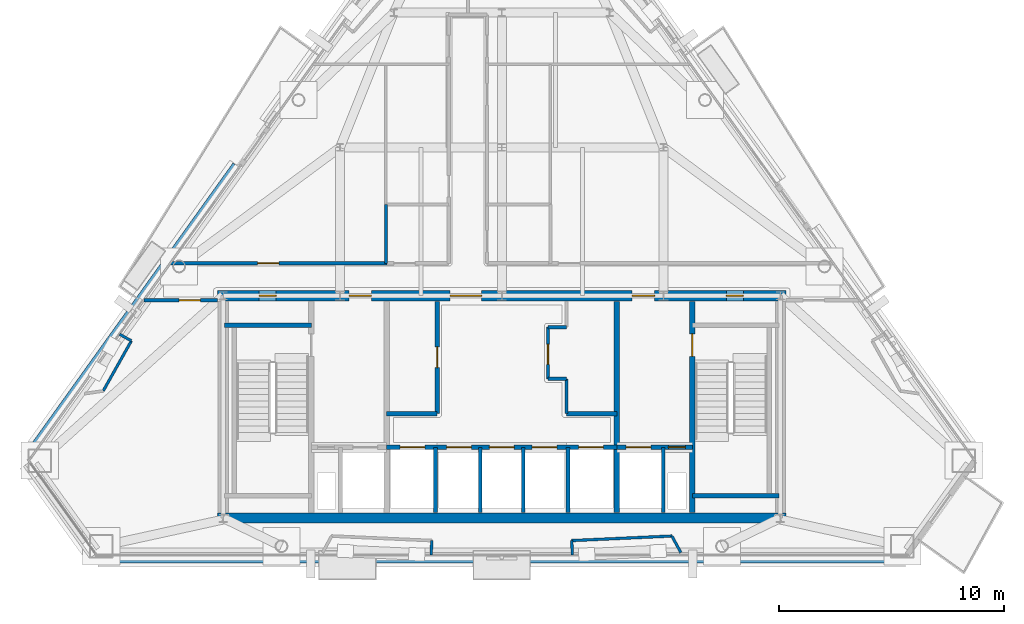
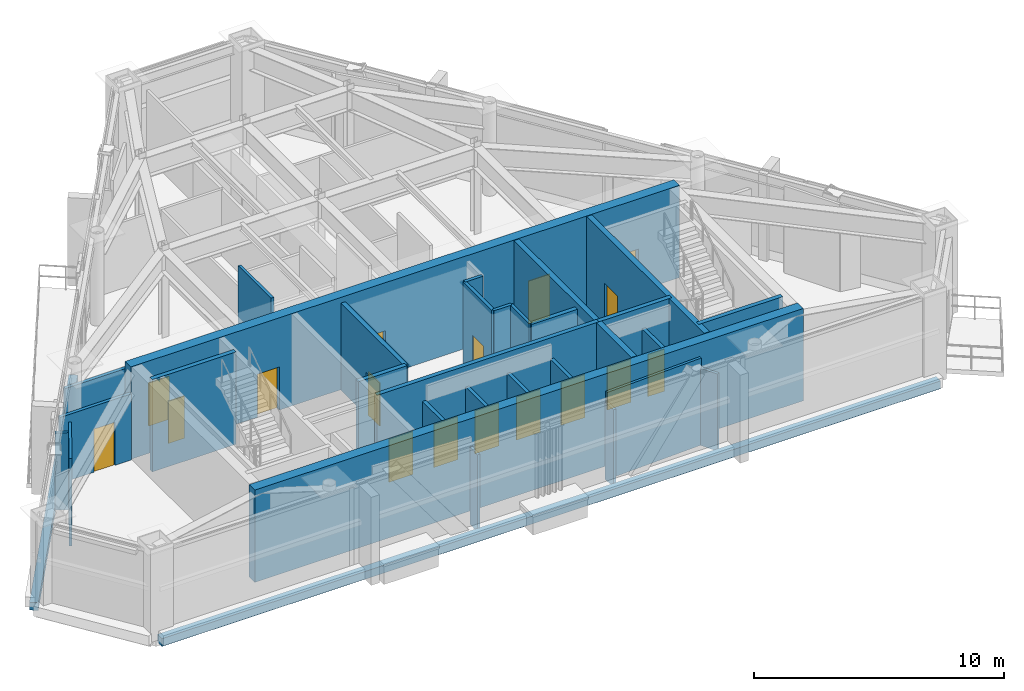
# One storey, part 7 of 11: 31 walls, 17 doors, 17 openings.
"""IFC4 building model written with IfcOpenShell, lengths in metres."""

from ifc_helpers import new_model, si_unit, direction, frame, frame_2d, origin, place, context, subcontext, project, spatial, rectangle, extrude, material, layer, layer_set, type_object, element, fill, save


model = new_model("IFC4")

# Units and contexts
model_context = context("Model", 3, precision=1e-05, world=origin(), true_north=direction((0.0, 1.0)))
body_context = subcontext(model_context, "Body", "Model", "MODEL_VIEW")
ifc_project = project(units=[si_unit("LENGTHUNIT", "METRE"), si_unit("AREAUNIT", "SQUARE_METRE"), si_unit("VOLUMEUNIT", "CUBIC_METRE"), si_unit("PLANEANGLEUNIT", "RADIAN"), si_unit("MASSUNIT", "GRAM", prefix="KILO")], contexts=[model_context])

# Site, building, storey
site_placement = place(None, origin())
site = spatial("IfcSite", under=ifc_project, at=site_placement, CompositionType="ELEMENT")
building_placement = place(site_placement, origin())
building = spatial("IfcBuilding", under=site, at=building_placement, Name="Talgorran Terracotta Tower", CompositionType="ELEMENT")
storey_placement = place(building_placement, frame((0.0, 0.0, 228.89990234375)))
storey = spatial("IfcBuildingStorey", under=building, at=storey_placement, Name="L60", CompositionType="ELEMENT", Elevation=228.89990234375)

# Walls
ifc_material_1 = material(Name="Concrete C50/60", Category="concrete")
ifc_layer_1 = layer(ifc_material_1, 0.199951171875, Name="WT_CORE_200")
ifc_layer_set_1 = layer_set([ifc_layer_1], Name="Concrete C50/60")
wall_type_1 = type_object("IfcWallType", Name="WT_CORE_200", PredefinedType="SOLIDWALL", material=ifc_layer_set_1)
for number, where, z_axis, x_axis, name in (
    (1, (-12.35009765625, -5.52001953125, 0.0), (0.0, 0.0, 1.0), (1.0, 0.0, 0.0), "WL-L60-CW-ST1-N"),
    (2, (8.47998046875, -13.10009765625, 0.0), (0.0, 0.0, 1.0), (1.0, 0.0, 0.0), "WL-L60-CW-ST2-S"),
):
    element("IfcWall", number, at=place(storey_placement, frame(where, z_axis=z_axis, x_axis=x_axis)), inside=storey, type_object=wall_type_1, Name=name, PredefinedType="SOLIDWALL", context=body_context, shape_type="SweptSolid", body=[
        extrude(rectangle(XDim=3.8701171875, YDim=0.199951171875, at=frame_2d((1.93505859375, 0.0))), origin(), (0.0, 0.0, 1.0), 4.5),
    ])

# Wall, openings, doors
wall_1_placement = place(storey_placement, frame((-5.1201171875, -10.949951171875, 0.0), z_axis=(0.0, 0.0, 1.0), x_axis=(1.0, 0.0, 0.0)))
wall_1 = element("IfcWall", 3, at=wall_1_placement, inside=storey, type_object=wall_type_1, Name="WL-L60-CW-H-SBC", PredefinedType="SOLIDWALL", context=body_context, shape_type="SweptSolid", body=[
    extrude(rectangle(XDim=10.240234375, YDim=0.199951171875, at=frame_2d((5.1201171875, 0.0))), origin(), (0.0, 0.0, 1.0), 4.5),
])
opening_1_placement = place(wall_1_placement, frame((0.60009765625, 0.0, 0.0)))
opening_1 = element("IfcOpeningElement", 4, at=opening_1_placement, cuts=wall_1, Name="Opening LD-OB1", PredefinedType="OPENING", context=body_context, shape_type="SweptSolid", body=[
    extrude(rectangle(XDim=1.10609765625, YDim=2.10409765625, at=frame_2d((0.550048828125, 1.052001953125))), frame((0.0, 0.10986328125, 0.0), z_axis=(0.0, -1.0, 0.0), x_axis=(1.0, 0.0, 0.0)), (0.0, 0.0, 1.0), 0.219970703125),
])
opening_2_placement = place(wall_1_placement, frame((2.669921875, 0.0, 0.0)))
opening_2 = element("IfcOpeningElement", 5, at=opening_2_placement, cuts=wall_1, Name="Opening LD-PLH1", PredefinedType="OPENING", context=body_context, shape_type="SweptSolid", body=[
    extrude(rectangle(XDim=1.10609765625, YDim=2.10409765625, at=frame_2d((0.550048828125, 1.052001953125))), frame((0.0, 0.10986328125, 0.0), z_axis=(0.0, -1.0, 0.0), x_axis=(1.0, 0.0, 0.0)), (0.0, 0.0, 1.0), 0.219970703125),
])
opening_3_placement = place(wall_1_placement, frame((4.570068359375, 0.0, 0.0)))
opening_3 = element("IfcOpeningElement", 6, at=opening_3_placement, cuts=wall_1, Name="Opening LD-PLH2", PredefinedType="OPENING", context=body_context, shape_type="SweptSolid", body=[
    extrude(rectangle(XDim=1.10609765625, YDim=2.10409765625, at=frame_2d((0.550048828125, 1.052001953125))), frame((0.0, 0.10986328125, 0.0), z_axis=(0.0, -1.0, 0.0), x_axis=(1.0, 0.0, 0.0)), (0.0, 0.0, 1.0), 0.219970703125),
])
opening_4_placement = place(wall_1_placement, frame((6.469970703125, 0.0, 0.0)))
opening_4 = element("IfcOpeningElement", 7, at=opening_4_placement, cuts=wall_1, Name="Opening LD-PLH3", PredefinedType="OPENING", context=body_context, shape_type="SweptSolid", body=[
    extrude(rectangle(XDim=1.10609765625, YDim=2.10409765625, at=frame_2d((0.550048828125, 1.052001953125))), frame((0.0, 0.10986328125, 0.0), z_axis=(0.0, -1.0, 0.0), x_axis=(1.0, 0.0, 0.0)), (0.0, 0.0, 1.0), 0.219970703125),
])
opening_5_placement = place(wall_1_placement, frame((8.5400390625, 0.0, 0.0)))
opening_5 = element("IfcOpeningElement", 8, at=opening_5_placement, cuts=wall_1, Name="Opening LD-SVL1", PredefinedType="OPENING", context=body_context, shape_type="SweptSolid", body=[
    extrude(rectangle(XDim=1.10609765625, YDim=2.10409765625, at=frame_2d((0.550048828125, 1.052001953125))), frame((0.0, 0.10986328125, 0.0), z_axis=(0.0, -1.0, 0.0), x_axis=(1.0, 0.0, 0.0)), (0.0, 0.0, 1.0), 0.219970703125),
])
ifc_material_2 = material(Name="Brushed Stainless Steel Grade 304", Category="steel")
door_type_1 = type_object("IfcDoorType", Name="DT_LIFT_LD1100", OperationType="DOUBLE_DOOR_SLIDING", PredefinedType="DOOR", material=ifc_material_2)
door_1_placement = place(opening_1_placement, origin())
door_1 = element("IfcDoor", 9, at=door_1_placement, inside=storey, type_object=door_type_1, Name="L60 Lift Landing Door LD-OB1", OperationType="DOUBLE_DOOR_SLIDING", OverallHeight=2.10009765625, OverallWidth=1.10009765625, PredefinedType="DOOR", context=body_context, shape_type="SweptSolid", body=[
    extrude(rectangle(XDim=1.10009765625, YDim=2.10009765625, at=frame_2d((0.550048828125, 1.050048828125))), frame((0.0, 0.02490234375, 0.0), z_axis=(0.0, -1.0, 0.0), x_axis=(1.0, 0.0, 0.0)), (0.0, 0.0, 1.0), 0.050048828125),
])
fill(opening_1, door_1)
door_2_placement = place(opening_2_placement, origin())
door_2 = element("IfcDoor", 10, at=door_2_placement, inside=storey, type_object=door_type_1, Name="L60 Lift Landing Door LD-PLH1", OperationType="DOUBLE_DOOR_SLIDING", OverallHeight=2.10009765625, OverallWidth=1.10009765625, PredefinedType="DOOR", context=body_context, shape_type="SweptSolid", body=[
    extrude(rectangle(XDim=1.10009765625, YDim=2.10009765625, at=frame_2d((0.550048828125, 1.050048828125))), frame((0.0, 0.02490234375, 0.0), z_axis=(0.0, -1.0, 0.0), x_axis=(1.0, 0.0, 0.0)), (0.0, 0.0, 1.0), 0.050048828125),
])
fill(opening_2, door_2)
door_3_placement = place(opening_3_placement, origin())
door_3 = element("IfcDoor", 11, at=door_3_placement, inside=storey, type_object=door_type_1, Name="L60 Lift Landing Door LD-PLH2", OperationType="DOUBLE_DOOR_SLIDING", OverallHeight=2.10009765625, OverallWidth=1.10009765625, PredefinedType="DOOR", context=body_context, shape_type="SweptSolid", body=[
    extrude(rectangle(XDim=1.10009765625, YDim=2.10009765625, at=frame_2d((0.550048828125, 1.050048828125))), frame((0.0, 0.02490234375, 0.0), z_axis=(0.0, -1.0, 0.0), x_axis=(1.0, 0.0, 0.0)), (0.0, 0.0, 1.0), 0.050048828125),
])
fill(opening_3, door_3)
door_4_placement = place(opening_4_placement, origin())
door_4 = element("IfcDoor", 12, at=door_4_placement, inside=storey, type_object=door_type_1, Name="L60 Lift Landing Door LD-PLH3", OperationType="DOUBLE_DOOR_SLIDING", OverallHeight=2.10009765625, OverallWidth=1.10009765625, PredefinedType="DOOR", context=body_context, shape_type="SweptSolid", body=[
    extrude(rectangle(XDim=1.10009765625, YDim=2.10009765625, at=frame_2d((0.550048828125, 1.050048828125))), frame((0.0, 0.02490234375, 0.0), z_axis=(0.0, -1.0, 0.0), x_axis=(1.0, 0.0, 0.0)), (0.0, 0.0, 1.0), 0.050048828125),
])
fill(opening_4, door_4)
door_5_placement = place(opening_5_placement, origin())
door_5 = element("IfcDoor", 13, at=door_5_placement, inside=storey, type_object=door_type_1, Name="L60 Lift Landing Door LD-SVL1", OperationType="DOUBLE_DOOR_SLIDING", OverallHeight=2.10009765625, OverallWidth=1.10009765625, PredefinedType="DOOR", context=body_context, shape_type="SweptSolid", body=[
    extrude(rectangle(XDim=1.10009765625, YDim=2.10009765625, at=frame_2d((0.550048828125, 1.050048828125))), frame((0.0, 0.02490234375, 0.0), z_axis=(0.0, -1.0, 0.0), x_axis=(1.0, 0.0, 0.0)), (0.0, 0.0, 1.0), 0.050048828125),
])
fill(opening_5, door_5)

wall_2_placement = place(storey_placement, frame((5.1201171875, -10.949951171875, 0.0), z_axis=(0.0, 0.0, 1.0), x_axis=(1.0, 0.0, 0.0)))
wall_2 = element("IfcWall", 14, at=wall_2_placement, inside=storey, type_object=wall_type_1, Name="WL-L60-CW-H-SBE", PredefinedType="SOLIDWALL", context=body_context, shape_type="SweptSolid", body=[
    extrude(rectangle(XDim=3.35986328125, YDim=0.199951171875, at=frame_2d((1.679931640625, 0.0))), origin(), (0.0, 0.0, 1.0), 4.5),
])
opening_6_placement = place(wall_2_placement, frame((0.419921875, 0.0, 0.0)))
opening_6 = element("IfcOpeningElement", 15, at=opening_6_placement, cuts=wall_2, Name="Opening LD-FFL2", PredefinedType="OPENING", context=body_context, shape_type="SweptSolid", body=[
    extrude(rectangle(XDim=1.10609765625, YDim=2.10409765625, at=frame_2d((0.550048828125, 1.052001953125))), frame((0.0, 0.10986328125, 0.0), z_axis=(0.0, -1.0, 0.0), x_axis=(1.0, 0.0, 0.0)), (0.0, 0.0, 1.0), 0.219970703125),
])
opening_7_placement = place(wall_2_placement, frame((2.300048828125, 0.0, 0.0)))
opening_7 = element("IfcOpeningElement", 16, at=opening_7_placement, cuts=wall_2, Name="Opening DR-RSE", PredefinedType="OPENING", context=body_context, shape_type="SweptSolid", body=[
    extrude(rectangle(XDim=0.756, YDim=2.054048828125, at=frame_2d((0.375, 1.027099609375))), frame((0.0, 0.10986328125, 0.0), z_axis=(0.0, -1.0, 0.0), x_axis=(1.0, 0.0, 0.0)), (0.0, 0.0, 1.0), 0.219970703125),
])
door_6_placement = place(opening_6_placement, origin())
door_6 = element("IfcDoor", 17, at=door_6_placement, inside=storey, type_object=door_type_1, Name="L60 Lift Landing Door LD-FFL2", OperationType="DOUBLE_DOOR_SLIDING", OverallHeight=2.10009765625, OverallWidth=1.10009765625, PredefinedType="DOOR", context=body_context, shape_type="SweptSolid", body=[
    extrude(rectangle(XDim=1.10009765625, YDim=2.10009765625, at=frame_2d((0.550048828125, 1.050048828125))), frame((0.0, 0.02490234375, 0.0), z_axis=(0.0, -1.0, 0.0), x_axis=(1.0, 0.0, 0.0)), (0.0, 0.0, 1.0), 0.050048828125),
])
fill(opening_6, door_6)
ifc_material_3 = material(Name="Fire-Rated Pressed Steel", Category="steel")
door_type_2 = type_object("IfcDoorType", Name="DT_RISER_750", OperationType="NOTDEFINED", PredefinedType="DOOR", material=ifc_material_3)
door_7_placement = place(opening_7_placement, origin())
door_7 = element("IfcDoor", 18, at=door_7_placement, inside=storey, type_object=door_type_2, Name="DR-RSE", OperationType="SINGLE_SWING_RIGHT", OverallHeight=2.050048828125, OverallWidth=0.75, PredefinedType="DOOR", context=body_context, shape_type="SweptSolid", body=[
    extrude(rectangle(XDim=0.75, YDim=2.050048828125, at=frame_2d((0.375, 1.02490234375))), frame((0.0, 0.02490234375, 0.0), z_axis=(0.0, -1.0, 0.0), x_axis=(1.0, 0.0, 0.0)), (0.0, 0.0, 1.0), 0.050048828125),
])
fill(opening_7, door_7)

# Wall, opening, door
wall_3_placement = place(storey_placement, frame((-2.8798828125, -9.449951171875, 0.0), z_axis=(0.0, 0.0, 1.0), x_axis=(0.0, 1.0, 0.0)))
wall_3 = element("IfcWall", 19, at=wall_3_placement, inside=storey, type_object=wall_type_1, Name="WL-L60-CW-V-W3", PredefinedType="SOLIDWALL", context=body_context, shape_type="SweptSolid", body=[
    extrude(rectangle(XDim=5.0, YDim=0.199951171875, at=frame_2d((2.5, 0.0))), origin(), (0.0, 0.0, 1.0), 4.2451171875),
])
opening_8_placement = place(wall_3_placement, frame((2.050048828125, 0.0, 0.0)))
opening_8 = element("IfcOpeningElement", 20, at=opening_8_placement, cuts=wall_3, Name="Opening DR-FRPLL-A", PredefinedType="OPENING", context=body_context, shape_type="SweptSolid", body=[
    extrude(rectangle(XDim=0.925921875, YDim=2.10409765625, at=frame_2d((0.4599609375, 1.052001953125))), frame((0.0, 0.10986328125, 0.0), z_axis=(0.0, -1.0, 0.0), x_axis=(1.0, 0.0, 0.0)), (0.0, 0.0, 1.0), 0.219970703125),
])
ifc_material_4 = material(Name="Solid-Core Painted Timber", Category="wood")
door_type_3 = type_object("IfcDoorType", Name="DT_INT_920", OperationType="NOTDEFINED", PredefinedType="DOOR", material=ifc_material_4)
door_8_placement = place(opening_8_placement, origin())
door_8 = element("IfcDoor", 21, at=door_8_placement, inside=storey, type_object=door_type_3, Name="DR-FRPLL-A", OperationType="SINGLE_SWING_LEFT", OverallHeight=2.10009765625, OverallWidth=0.919921875, PredefinedType="DOOR", context=body_context, shape_type="SweptSolid", body=[
    extrude(rectangle(XDim=0.919921875, YDim=2.10009765625, at=frame_2d((0.4599609375, 1.050048828125))), frame((0.0, 0.02490234375, 0.0), z_axis=(0.0, -1.0, 0.0), x_axis=(1.0, 0.0, 0.0)), (0.0, 0.0, 1.0), 0.050048828125),
])
fill(opening_8, door_8)

# Walls
for number, where, z_axis, x_axis, name in (
    (22, (-5.1201171875, -9.449951171875, 0.0), (0.0, 0.0, 1.0), (1.0, 0.0, 0.0), "WL-L60-CW-H-W4"),
    (23, (2.8798828125, -9.449951171875, 0.0), (0.0, 0.0, 1.0), (1.0, 0.0, 0.0), "WL-L60-CW-H-E4"),
):
    element("IfcWall", number, at=place(storey_placement, frame(where, z_axis=z_axis, x_axis=x_axis)), inside=storey, type_object=wall_type_1, Name=name, PredefinedType="SOLIDWALL", context=body_context, shape_type="SweptSolid", body=[
        extrude(rectangle(XDim=2.240234375, YDim=0.199951171875, at=frame_2d((1.1201171875, 0.0))), origin(), (0.0, 0.0, 1.0), 4.2451171875),
    ])

# Wall, opening, door
ifc_layer_2 = layer(ifc_material_1, 0.25, Name="WT_CORE_250")
ifc_layer_set_2 = layer_set([ifc_layer_2], Name="Concrete C50/60")
wall_type_2 = type_object("IfcWallType", Name="WT_CORE_250", PredefinedType="SHEAR", material=ifc_layer_set_2)
wall_4_placement = place(storey_placement, frame((8.47998046875, -13.85009765625, 0.0), z_axis=(0.0, 0.0, 1.0), x_axis=(0.0, 1.0, 0.0)))
wall_4 = element("IfcWall", 24, at=wall_4_placement, inside=storey, type_object=wall_type_2, Name="WL-L60-CW-V-E1", PredefinedType="SHEAR", context=body_context, shape_type="SweptSolid", body=[
    extrude(rectangle(XDim=9.400146484375, YDim=0.25, at=frame_2d((4.7001953125, 0.0))), origin(), (0.0, 0.0, 1.0), 4.5),
])
opening_9_placement = place(wall_4_placement, frame((6.949951171875, 0.0, 0.0)))
opening_9 = element("IfcOpeningElement", 25, at=opening_9_placement, cuts=wall_4, Name="Opening DR-ST02", PredefinedType="OPENING", context=body_context, shape_type="SweptSolid", body=[
    extrude(rectangle(XDim=1.006, YDim=2.10409765625, at=frame_2d((0.5, 1.052001953125))), frame((0.0, 0.135009765625, 0.0), z_axis=(0.0, -1.0, 0.0), x_axis=(1.0, 0.0, 0.0)), (0.0, 0.0, 1.0), 0.27001953125),
])
door_type_4 = type_object("IfcDoorType", Name="DT_FIRE_1000", OperationType="NOTDEFINED", PredefinedType="DOOR", material=ifc_material_3)
door_9_placement = place(opening_9_placement, origin())
door_9 = element("IfcDoor", 26, at=door_9_placement, inside=storey, type_object=door_type_4, Name="DR-ST02", OperationType="SINGLE_SWING_RIGHT", OverallHeight=2.10009765625, OverallWidth=1.0, PredefinedType="DOOR", context=body_context, shape_type="SweptSolid", body=[
    extrude(rectangle(XDim=1.0, YDim=2.10009765625, at=frame_2d((0.5, 1.050048828125))), frame((0.0, 0.02490234375, 0.0), z_axis=(0.0, -1.0, 0.0), x_axis=(1.0, 0.0, 0.0)), (0.0, 0.0, 1.0), 0.050048828125),
])
fill(opening_9, door_9)

# Walls
wall_5_placement = place(storey_placement, frame((5.1201171875, -13.85009765625, 0.0), z_axis=(0.0, 0.0, 1.0), x_axis=(0.0, 1.0, 0.0)))
element("IfcWall", 27, at=wall_5_placement, inside=storey, type_object=wall_type_2, Name="WL-L60-CW-V-E2", PredefinedType="SHEAR", context=body_context, shape_type="SweptSolid", body=[
    extrude(rectangle(XDim=9.400146484375, YDim=0.25, at=frame_2d((4.7001953125, 0.0))), origin(), (0.0, 0.0, 1.0), 4.5),
])
ifc_material_5 = material(Name="Concrete C65/80", Category="concrete")
ifc_layer_3 = layer(ifc_material_5, 0.449951171875, Name="WT_CORE_EXT")
ifc_layer_set_3 = layer_set([ifc_layer_3], Name="Concrete C65/80")
wall_type_3 = type_object("IfcWallType", Name="WT_CORE_EXT", PredefinedType="SHEAR", material=ifc_layer_set_3)
wall_6_placement = place(storey_placement, frame((-12.64990234375, -14.10009765625, 0.0), z_axis=(0.0, 0.0, 1.0), x_axis=(1.0, 0.0, 0.0)))
element("IfcWall", 28, at=wall_6_placement, inside=storey, type_object=wall_type_3, Name="WL-L60-CW-OUT-S", PredefinedType="SHEAR", context=body_context, shape_type="SweptSolid", body=[
    extrude(rectangle(XDim=25.2998046875, YDim=0.449951171875, at=frame_2d((12.64990234375, 0.0))), origin(), (0.0, 0.0, 1.0), 4.5),
])

# Wall, openings, doors
wall_7_placement = place(storey_placement, frame((-12.64990234375, -4.199951171875, 0.0), z_axis=(0.0, 0.0, 1.0), x_axis=(1.0, 0.0, 0.0)))
wall_7 = element("IfcWall", 29, at=wall_7_placement, inside=storey, type_object=wall_type_3, Name="WL-L60-CW-OUT-N", PredefinedType="SHEAR", context=body_context, shape_type="SweptSolid", body=[
    extrude(rectangle(XDim=25.2998046875, YDim=0.449951171875, at=frame_2d((12.64990234375, 0.0))), origin(), (0.0, 0.0, 1.0), 4.5),
])
opening_10_placement = place(wall_7_placement, frame((1.85009765625, 0.0, 0.0)))
opening_10 = element("IfcOpeningElement", 30, at=opening_10_placement, cuts=wall_7, Name="Opening DR-CSN1", PredefinedType="OPENING", context=body_context, shape_type="SweptSolid", body=[
    extrude(rectangle(XDim=0.756, YDim=2.054048828125, at=frame_2d((0.375, 1.027099609375))), frame((0.0, 0.23486328125, 0.0), z_axis=(0.0, -1.0, 0.0), x_axis=(1.0, 0.0, 0.0)), (0.0, 0.0, 1.0), 0.469970703125),
])
opening_11_placement = place(wall_7_placement, frame((22.64990234375, 0.0, 0.0)))
opening_11 = element("IfcOpeningElement", 31, at=opening_11_placement, cuts=wall_7, Name="Opening DR-CSN2", PredefinedType="OPENING", context=body_context, shape_type="SweptSolid", body=[
    extrude(rectangle(XDim=0.756, YDim=2.054048828125, at=frame_2d((0.375, 1.027099609375))), frame((0.0, 0.23486328125, 0.0), z_axis=(0.0, -1.0, 0.0), x_axis=(1.0, 0.0, 0.0)), (0.0, 0.0, 1.0), 0.469970703125),
])
opening_12_placement = place(wall_7_placement, frame((5.85009765625, 0.0, 0.0)))
opening_12 = element("IfcOpeningElement", 32, at=opening_12_placement, cuts=wall_7, Name="Opening DR-FFLW-N", PredefinedType="OPENING", context=body_context, shape_type="SweptSolid", body=[
    extrude(rectangle(XDim=1.006, YDim=2.10409765625, at=frame_2d((0.5, 1.052001953125))), frame((0.0, 0.23486328125, 0.0), z_axis=(0.0, -1.0, 0.0), x_axis=(1.0, 0.0, 0.0)), (0.0, 0.0, 1.0), 0.469970703125),
])
opening_13_placement = place(wall_7_placement, frame((10.35009765625, 0.0, 0.0)))
opening_13 = element("IfcOpeningElement", 33, at=opening_13_placement, cuts=wall_7, Name="Opening DR-PLL-N", PredefinedType="OPENING", context=body_context, shape_type="SweptSolid", body=[
    extrude(rectangle(XDim=1.40590234375, YDim=2.15390234375, at=frame_2d((0.699951171875, 1.076904296875))), frame((0.0, 0.23486328125, 0.0), z_axis=(0.0, -1.0, 0.0), x_axis=(1.0, 0.0, 0.0)), (0.0, 0.0, 1.0), 0.469970703125),
])
opening_14_placement = place(wall_7_placement, frame((18.449951171875, 0.0, 0.0)))
opening_14 = element("IfcOpeningElement", 34, at=opening_14_placement, cuts=wall_7, Name="Opening DR-FFLE-N", PredefinedType="OPENING", context=body_context, shape_type="SweptSolid", body=[
    extrude(rectangle(XDim=1.006, YDim=2.10409765625, at=frame_2d((0.5, 1.052001953125))), frame((0.0, 0.23486328125, 0.0), z_axis=(0.0, -1.0, 0.0), x_axis=(1.0, 0.0, 0.0)), (0.0, 0.0, 1.0), 0.469970703125),
])
ifc_material_6 = material(Name="Acoustic Glazed Timber", Category="wood")
door_type_5 = type_object("IfcDoorType", Name="DT_DOUBLE_1400", OperationType="DOUBLE_DOOR_SINGLE_SWING", PredefinedType="DOOR", material=ifc_material_6)
door_10_placement = place(opening_13_placement, origin())
door_10 = element("IfcDoor", 35, at=door_10_placement, inside=storey, type_object=door_type_5, Name="DR-PLL-N", OperationType="DOUBLE_DOOR_SINGLE_SWING", OverallHeight=2.14990234375, OverallWidth=1.39990234375, PredefinedType="DOOR", context=body_context, shape_type="SweptSolid", body=[
    extrude(rectangle(XDim=1.39990234375, YDim=2.14990234375, at=frame_2d((0.699951171875, 1.074951171875))), frame((0.0, 0.02490234375, 0.0), z_axis=(0.0, -1.0, 0.0), x_axis=(1.0, 0.0, 0.0)), (0.0, 0.0, 1.0), 0.050048828125),
])
fill(opening_13, door_10)
door_11_placement = place(opening_12_placement, origin())
door_11 = element("IfcDoor", 36, at=door_11_placement, inside=storey, type_object=door_type_4, Name="DR-FFLW-N", OperationType="SINGLE_SWING_LEFT", OverallHeight=2.10009765625, OverallWidth=1.0, PredefinedType="DOOR", context=body_context, shape_type="SweptSolid", body=[
    extrude(rectangle(XDim=1.0, YDim=2.10009765625, at=frame_2d((0.5, 1.050048828125))), frame((0.0, 0.02490234375, 0.0), z_axis=(0.0, -1.0, 0.0), x_axis=(1.0, 0.0, 0.0)), (0.0, 0.0, 1.0), 0.050048828125),
])
fill(opening_12, door_11)
door_12_placement = place(opening_14_placement, origin())
door_12 = element("IfcDoor", 37, at=door_12_placement, inside=storey, type_object=door_type_4, Name="DR-FFLE-N", OperationType="SINGLE_SWING_RIGHT", OverallHeight=2.10009765625, OverallWidth=1.0, PredefinedType="DOOR", context=body_context, shape_type="SweptSolid", body=[
    extrude(rectangle(XDim=1.0, YDim=2.10009765625, at=frame_2d((0.5, 1.050048828125))), frame((0.0, 0.02490234375, 0.0), z_axis=(0.0, -1.0, 0.0), x_axis=(1.0, 0.0, 0.0)), (0.0, 0.0, 1.0), 0.050048828125),
])
fill(opening_14, door_12)
door_13_placement = place(opening_10_placement, origin())
door_13 = element("IfcDoor", 38, at=door_13_placement, inside=storey, type_object=door_type_2, Name="DR-CSN1", OperationType="SINGLE_SWING_LEFT", OverallHeight=2.050048828125, OverallWidth=0.75, PredefinedType="DOOR", context=body_context, shape_type="SweptSolid", body=[
    extrude(rectangle(XDim=0.75, YDim=2.050048828125, at=frame_2d((0.375, 1.02490234375))), frame((0.0, 0.02490234375, 0.0), z_axis=(0.0, -1.0, 0.0), x_axis=(1.0, 0.0, 0.0)), (0.0, 0.0, 1.0), 0.050048828125),
])
fill(opening_10, door_13)
door_14_placement = place(opening_11_placement, origin())
door_14 = element("IfcDoor", 39, at=door_14_placement, inside=storey, type_object=door_type_2, Name="DR-CSN2", OperationType="SINGLE_SWING_RIGHT", OverallHeight=2.050048828125, OverallWidth=0.75, PredefinedType="DOOR", context=body_context, shape_type="SweptSolid", body=[
    extrude(rectangle(XDim=0.75, YDim=2.050048828125, at=frame_2d((0.375, 1.02490234375))), frame((0.0, 0.02490234375, 0.0), z_axis=(0.0, -1.0, 0.0), x_axis=(1.0, 0.0, 0.0)), (0.0, 0.0, 1.0), 0.050048828125),
])
fill(opening_11, door_14)

# Walls
ifc_material_7 = material(Name="Fire-Rated Steel Stud Plasterboard", Category="steel")
ifc_layer_4 = layer(ifc_material_7, 0.14990234375, Name="WT_FIRE_150")
ifc_layer_set_4 = layer_set([ifc_layer_4], Name="Fire-Rated Steel Stud Plasterboard")
wall_type_4 = type_object("IfcWallType", Name="WT_FIRE_150", PredefinedType="PARTITIONING", material=ifc_layer_set_4)
wall_8_placement = place(storey_placement, frame((2.8798828125, -9.449951171875, 0.0), z_axis=(0.0, 0.0, 1.0), x_axis=(0.0, 1.0, 0.0)))
element("IfcWall", 40, at=wall_8_placement, inside=storey, type_object=wall_type_4, Name="WL-L60-CW-V-E3A", PredefinedType="PARTITIONING", context=body_context, shape_type="SweptSolid", body=[
    extrude(rectangle(XDim=1.550048828125, YDim=0.14990234375, at=frame_2d((0.77490234375, 0.0))), origin(), (0.0, 0.0, 1.0), 4.2451171875),
])
wall_9_placement = place(storey_placement, frame((2.06005859375, -7.89990234375, 0.0), z_axis=(0.0, 0.0, 1.0), x_axis=(1.0, 0.0, 0.0)))
element("IfcWall", 41, at=wall_9_placement, inside=storey, type_object=wall_type_4, Name="WL-L60-CW-H-E3B", PredefinedType="PARTITIONING", context=body_context, shape_type="SweptSolid", body=[
    extrude(rectangle(XDim=0.81982421875, YDim=0.14990234375, at=frame_2d((0.409912109375, 0.0))), origin(), (0.0, 0.0, 1.0), 4.2451171875),
])

# Wall, opening, door
wall_10_placement = place(storey_placement, frame((2.06005859375, -7.89990234375, 0.0), z_axis=(0.0, 0.0, 1.0), x_axis=(0.0, 1.0, 0.0)))
wall_10 = element("IfcWall", 42, at=wall_10_placement, inside=storey, type_object=wall_type_4, Name="WL-L60-CW-V-E3C", PredefinedType="PARTITIONING", context=body_context, shape_type="SweptSolid", body=[
    extrude(rectangle(XDim=2.2998046875, YDim=0.14990234375, at=frame_2d((1.14990234375, 0.0))), origin(), (0.0, 0.0, 1.0), 4.2451171875),
])
opening_15_placement = place(wall_10_placement, frame((0.64990234375, 0.0, 0.0)))
opening_15 = element("IfcOpeningElement", 43, at=opening_15_placement, cuts=wall_10, Name="Opening DR-FRPLM-B", PredefinedType="OPENING", context=body_context, shape_type="SweptSolid", body=[
    extrude(rectangle(XDim=0.8858828125, YDim=2.10409765625, at=frame_2d((0.43994140625, 1.052001953125))), frame((0.0, 0.0849609375, 0.0), z_axis=(0.0, -1.0, 0.0), x_axis=(1.0, 0.0, 0.0)), (0.0, 0.0, 1.0), 0.169921875),
])
door_type_6 = type_object("IfcDoorType", Name="DT_INT_880", OperationType="NOTDEFINED", PredefinedType="DOOR", material=ifc_material_4)
door_15_placement = place(opening_15_placement, origin())
door_15 = element("IfcDoor", 44, at=door_15_placement, inside=storey, type_object=door_type_6, Name="DR-FRPLM-B", OperationType="SINGLE_SWING_RIGHT", OverallHeight=2.10009765625, OverallWidth=0.8798828125, PredefinedType="DOOR", context=body_context, shape_type="SweptSolid", body=[
    extrude(rectangle(XDim=0.8798828125, YDim=2.10009765625, at=frame_2d((0.43994140625, 1.050048828125))), frame((0.0, 0.02490234375, 0.0), z_axis=(0.0, -1.0, 0.0), x_axis=(1.0, 0.0, 0.0)), (0.0, 0.0, 1.0), 0.050048828125),
])
fill(opening_15, door_15)

# Wall
wall_11_placement = place(storey_placement, frame((2.06005859375, -5.60009765625, 0.0), z_axis=(0.0, 0.0, 1.0), x_axis=(1.0, 0.0, 0.0)))
element("IfcWall", 45, at=wall_11_placement, inside=storey, type_object=wall_type_4, Name="WL-L60-CW-H-E3D", PredefinedType="PARTITIONING", context=body_context, shape_type="SweptSolid", body=[
    extrude(rectangle(XDim=0.81982421875, YDim=0.14990234375, at=frame_2d((0.409912109375, 0.0))), origin(), (0.0, 0.0, 1.0), 4.2451171875),
])

# Wall, opening, door
wall_12_placement = place(storey_placement, frame((-14.75732421875, -2.760009765625, 0.0), z_axis=(0.0, 0.0, 1.0), x_axis=(1.0, 0.0, 0.0)))
wall_12 = element("IfcWall", 46, at=wall_12_placement, inside=storey, type_object=wall_type_4, Name="WL-L60-W-L60-R07", PredefinedType="PARTITIONING", context=body_context, shape_type="SweptSolid", body=[
    extrude(rectangle(XDim=9.6572265625, YDim=0.14990234375, at=frame_2d((4.82861328125, 0.0))), origin(), (0.0, 0.0, 1.0), 3.22021484375),
])
opening_16_placement = place(wall_12_placement, frame((3.885498046875, 0.0, 0.0)))
opening_16 = element("IfcOpeningElement", 47, at=opening_16_placement, cuts=wall_12, Name="Opening DR-L60-R05", PredefinedType="OPENING", context=body_context, shape_type="SweptSolid", body=[
    extrude(rectangle(XDim=0.955951171875, YDim=2.10409765625, at=frame_2d((0.47509765625, 1.052001953125))), frame((0.0, 0.0849609375, 0.0), z_axis=(0.0, -1.0, 0.0), x_axis=(1.0, 0.0, 0.0)), (0.0, 0.0, 1.0), 0.169921875),
])
ifc_material_8 = material(Name="Fire-Rated Timber Core", Category="wood")
door_type_7 = type_object("IfcDoorType", Name="DT_FIRE_950", OperationType="NOTDEFINED", PredefinedType="DOOR", material=ifc_material_8)
door_16_placement = place(opening_16_placement, origin())
door_16 = element("IfcDoor", 48, at=door_16_placement, inside=storey, type_object=door_type_7, Name="DR-L60-R05", OperationType="SINGLE_SWING_LEFT", OverallHeight=2.10009765625, OverallWidth=0.949951171875, PredefinedType="DOOR", context=body_context, shape_type="SweptSolid", body=[
    extrude(rectangle(XDim=0.949951171875, YDim=2.10009765625, at=frame_2d((0.47509765625, 1.050048828125))), frame((0.0, 0.02490234375, 0.0), z_axis=(0.0, -1.0, 0.0), x_axis=(1.0, 0.0, 0.0)), (0.0, 0.0, 1.0), 0.050048828125),
])
fill(opening_16, door_16)

wall_13_placement = place(storey_placement, frame((-15.9345703125, -4.39990234375, 0.0), z_axis=(0.0, 0.0, 1.0), x_axis=(1.0, 0.0, 0.0)))
wall_13 = element("IfcWall", 49, at=wall_13_placement, inside=storey, type_object=wall_type_4, Name="WL-L60-W-L60-R01", PredefinedType="PARTITIONING", context=body_context, shape_type="SweptSolid", body=[
    extrude(rectangle(XDim=3.282470703125, YDim=0.14990234375, at=frame_2d((1.64111328125, 0.0))), origin(), (0.0, 0.0, 1.0), 3.22021484375),
])
opening_17_placement = place(wall_13_placement, frame((1.569091796875, 0.0, 0.0)))
opening_17 = element("IfcOpeningElement", 50, at=opening_17_placement, cuts=wall_13, Name="Opening DR-L60-R01", PredefinedType="OPENING", context=body_context, shape_type="SweptSolid", body=[
    extrude(rectangle(XDim=0.955951171875, YDim=2.10409765625, at=frame_2d((0.47509765625, 1.052001953125))), frame((0.0, 0.0849609375, 0.0), z_axis=(0.0, -1.0, 0.0), x_axis=(1.0, 0.0, 0.0)), (0.0, 0.0, 1.0), 0.169921875),
])
door_17_placement = place(opening_17_placement, origin())
door_17 = element("IfcDoor", 51, at=door_17_placement, inside=storey, type_object=door_type_7, Name="DR-L60-R01", OperationType="SINGLE_SWING_LEFT", OverallHeight=2.10009765625, OverallWidth=0.949951171875, PredefinedType="DOOR", context=body_context, shape_type="SweptSolid", body=[
    extrude(rectangle(XDim=0.949951171875, YDim=2.10009765625, at=frame_2d((0.47509765625, 1.050048828125))), frame((0.0, 0.02490234375, 0.0), z_axis=(0.0, -1.0, 0.0), x_axis=(1.0, 0.0, 0.0)), (0.0, 0.0, 1.0), 0.050048828125),
])
fill(opening_17, door_17)

# Walls
ifc_material_9 = material(Name="Concrete C40/50", Category="concrete")
ifc_layer_5 = layer(ifc_material_9, 0.219970703125, Name="WT_PARAPET_RC")
ifc_layer_set_5 = layer_set([ifc_layer_5], Name="Concrete C40/50")
wall_type_5 = type_object("IfcWallType", Name="WT_PARAPET_RC", PredefinedType="PARAPET", material=ifc_layer_set_5)
wall_14_placement = place(storey_placement, frame((-17.955322265625, -15.912109375, -0.199951171875), z_axis=(0.0, 0.0, 1.0), x_axis=(1.0, 0.0, 0.0)))
element("IfcWall", 52, at=wall_14_placement, inside=storey, type_object=wall_type_5, Name="L60 Striped Portal Precast Cornice F1", PredefinedType="PARAPET", context=body_context, shape_type="SweptSolid", body=[
    extrude(rectangle(XDim=35.91064453125, YDim=0.360107421875, at=frame_2d((17.955322265625, 0.0))), origin(), (0.0, 0.0, 1.0), 0.380126953125),
])
wall_15_placement = place(storey_placement, frame((-11.81982421875, 1.606689453125, -0.199951171875), z_axis=(0.0, 0.0, 1.0), x_axis=(-0.58311922958, -0.812386585373, 0.0)))
element("IfcWall", 53, at=wall_15_placement, inside=storey, type_object=wall_type_5, Name="L60 Striped Portal Precast Cornice F61", PredefinedType="PARAPET", context=body_context, shape_type="SweptSolid", body=[
    extrude(rectangle(XDim=15.947509765625, YDim=0.360107421875, at=frame_2d((7.9736328125, 0.0))), origin(), (0.0, 0.0, 1.0), 0.380126953125),
])
ifc_material_10 = material(Name="Insulated Steel Stud Plasterboard", Category="steel")
ifc_layer_6 = layer(ifc_material_10, 0.1201171875, Name="WT_PART_120")
ifc_layer_set_6 = layer_set([ifc_layer_6], Name="Insulated Steel Stud Plasterboard")
wall_type_6 = type_object("IfcWallType", Name="WT_PART_120", PredefinedType="PARTITIONING", material=ifc_layer_set_6)
wall_16_placement = place(storey_placement, frame((3.11474609375, -15.101806640625, 0.0), z_axis=(0.0, 0.0, 1.0), x_axis=(0.998971020326, 0.04535306549, 0.0)))
element("IfcWall", 54, at=wall_16_placement, inside=storey, type_object=wall_type_6, Name="WL-L60-BW-L60-06", PredefinedType="PARTITIONING", context=body_context, shape_type="SweptSolid", body=[
    extrude(rectangle(XDim=4.462646484375, YDim=0.1201171875, at=frame_2d((2.2314453125, 0.0))), origin(), (0.0, 0.0, 1.0), 4.2451171875),
])
wall_17_placement = place(storey_placement, frame((-16.48779296875, -6.2099609375, 0.0), z_axis=(0.0, 0.0, 1.0), x_axis=(-0.490329227995, -0.87153729018, 0.0)))
element("IfcWall", 55, at=wall_17_placement, inside=storey, type_object=wall_type_6, Name="WL-L60-BW-L60-08", PredefinedType="PARTITIONING", context=body_context, shape_type="SweptSolid", body=[
    extrude(rectangle(XDim=2.557373046875, YDim=0.1201171875, at=frame_2d((1.27880859375, 0.0))), origin(), (0.0, 0.0, 1.0), 4.2451171875),
])
wall_18_placement = place(storey_placement, frame((7.57275390625, -14.8994140625, 0.0), z_axis=(0.0, 0.0, 1.0), x_axis=(0.478546739668, -0.878062080922, 0.0)))
element("IfcWall", 56, at=wall_18_placement, inside=storey, type_object=wall_type_6, Name="WL-L60-BW-L60-04", PredefinedType="PARTITIONING", context=body_context, shape_type="SweptSolid", body=[
    extrude(rectangle(XDim=0.84033203125, YDim=0.1201171875, at=frame_2d((0.420166015625, 0.0))), origin(), (0.0, 0.0, 1.0), 3.76318359375),
])
for number, where, z_axis, x_axis, name in (
    (57, (-3.11474609375, -15.101806640625, 0.0), (0.0, 0.0, 1.0), (-0.045321282147, -0.998972462776, 0.0), "WL-L60-BW-L60-03"),
    (58, (3.143798828125, -15.7421875, 0.0), (0.0, 0.0, 1.0), (-0.045321282147, 0.998972462776, 0.0), "WL-L60-BW-L60-05"),
):
    element("IfcWall", number, at=place(storey_placement, frame(where, z_axis=z_axis, x_axis=x_axis)), inside=storey, type_object=wall_type_6, Name=name, PredefinedType="PARTITIONING", context=body_context, shape_type="SweptSolid", body=[
        extrude(rectangle(XDim=0.64111328125, YDim=0.1201171875, at=frame_2d((0.320556640625, 0.0))), origin(), (0.0, 0.0, 1.0), 3.76318359375),
    ])
wall_19_placement = place(storey_placement, frame((-17.01025390625, -5.916015625, 0.0), z_axis=(0.0, 0.0, 1.0), x_axis=(0.871532028392, -0.49033858046, 0.0)))
element("IfcWall", 59, at=wall_19_placement, inside=storey, type_object=wall_type_6, Name="WL-L60-BW-L60-07", PredefinedType="PARTITIONING", context=body_context, shape_type="SweptSolid", body=[
    extrude(rectangle(XDim=0.599365234375, YDim=0.1201171875, at=frame_2d((0.2998046875, 0.0))), origin(), (0.0, 0.0, 1.0), 3.76318359375),
])
ifc_material_11 = material(Name="Moisture-Resistant Stud Wall")
ifc_layer_7 = layer(ifc_material_11, 0.135009765625, Name="WT_PART_135")
ifc_layer_set_7 = layer_set([ifc_layer_7], Name="Moisture-Resistant Stud Wall")
wall_type_7 = type_object("IfcWallType", Name="WT_PART_135", PredefinedType="PARTITIONING", material=ifc_layer_set_7)
wall_20_placement = place(storey_placement, frame((-5.159912109375, -2.760009765625, 0.0), z_axis=(0.0, 0.0, 1.0), x_axis=(0.0, 1.0, 0.0)))
element("IfcWall", 60, at=wall_20_placement, inside=storey, type_object=wall_type_7, Name="WL-L60-W-L60-R17", PredefinedType="PARTITIONING", context=body_context, shape_type="SweptSolid", body=[
    extrude(rectangle(XDim=2.6201171875, YDim=0.135009765625, at=frame_2d((1.31005859375, 0.0))), origin(), (0.0, 0.0, 1.0), 4.2451171875),
])
ifc_material_12 = material(Name="Fire-Rated Shaftwall")
ifc_layer_8 = layer(ifc_material_12, 0.159912109375, Name="WT_PART_150")
ifc_layer_set_8 = layer_set([ifc_layer_8], Name="Fire-Rated Shaftwall")
wall_type_8 = type_object("IfcWallType", Name="WT_PART_150", PredefinedType="PARTITIONING", material=ifc_layer_set_8)
for number, where, z_axis, x_axis, name in (
    (61, (7.179931640625, -13.85009765625, 0.0), (0.0, 0.0, 1.0), (0.0, 1.0, 0.0), "WL-L60-CW-RSE"),
    (62, (-2.949951171875, -13.85009765625, 0.0), (0.0, 0.0, 1.0), (0.0, 1.0, 0.0), "WL-L60-CW-OB-E"),
    (63, (2.949951171875, -13.85009765625, 0.0), (0.0, 0.0, 1.0), (0.0, 1.0, 0.0), "WL-L60-CW-SV-W"),
    (64, (-0.949951171875, -13.85009765625, 0.0), (0.0, 0.0, 1.0), (0.0, 1.0, 0.0), "WL-L60-CW-PLH-D1"),
    (65, (0.949951171875, -13.85009765625, 0.0), (0.0, 0.0, 1.0), (0.0, 1.0, 0.0), "WL-L60-CW-PLH-D2"),
):
    element("IfcWall", number, at=place(storey_placement, frame(where, z_axis=z_axis, x_axis=x_axis)), inside=storey, type_object=wall_type_8, Name=name, PredefinedType="PARTITIONING", context=body_context, shape_type="SweptSolid", body=[
        extrude(rectangle(XDim=2.900146484375, YDim=0.159912109375, at=frame_2d((1.4501953125, 0.0))), origin(), (0.0, 0.0, 1.0), 3.47021484375),
    ])

save(model, "model.ifc")
